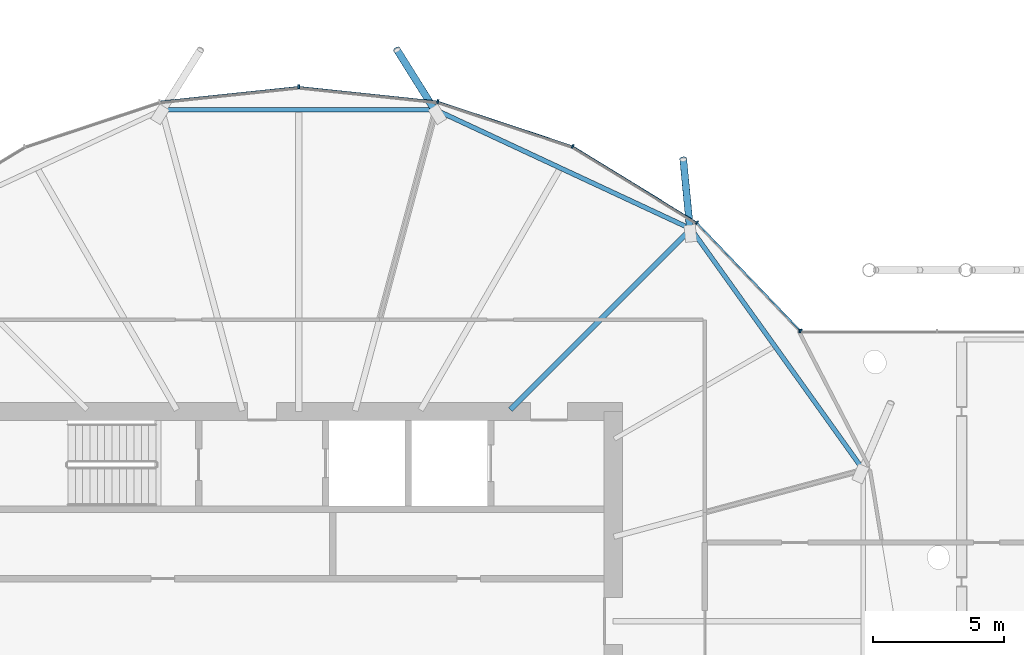
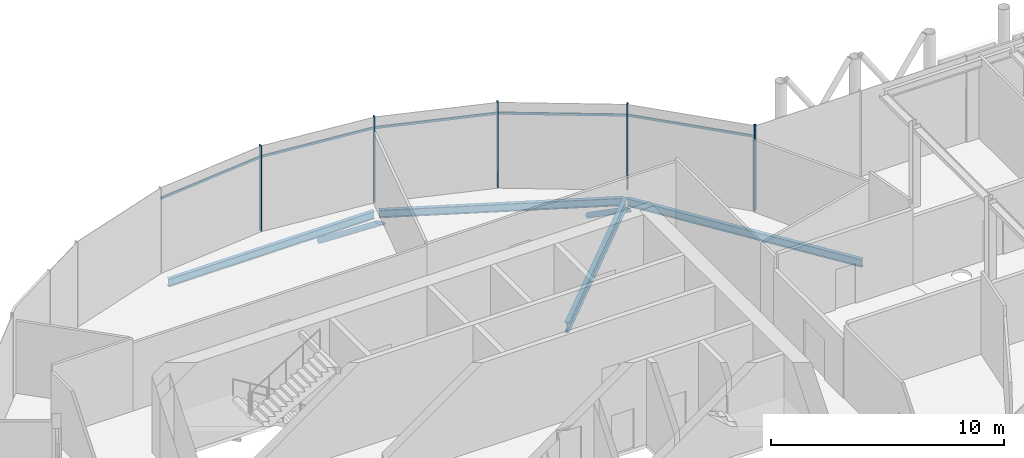
# One storey, part 9 of 36: 13 members, 4 beams, 2 elements without a shape of their own.
"""IFC4 building model written with IfcOpenShell, lengths in metres."""

from ifc_helpers import new_model, si_unit, direction, frame, origin, origin_2d, place, context, subcontext, project, spatial, rectangle, hollow_circle, i_section, extrude, clip, halfspace, material, material_profile, profile_set, type_object, element, aggregate, save


model = new_model("IFC4")

# Units and contexts
model_context = context("Model", 3, precision=1e-05, world=origin(), true_north=direction((0.0, 1.0)))
body_context = subcontext(model_context, "Body", "Model", "MODEL_VIEW")
ifc_project = project(units=[si_unit("LENGTHUNIT", "METRE"), si_unit("AREAUNIT", "SQUARE_METRE"), si_unit("VOLUMEUNIT", "CUBIC_METRE"), si_unit("PLANEANGLEUNIT", "RADIAN"), si_unit("MASSUNIT", "GRAM", prefix="KILO")], contexts=[model_context])

# Site, building, storey
site_placement = place(None, origin())
site = spatial("IfcSite", under=ifc_project, at=site_placement, CompositionType="ELEMENT")
building_placement = place(site_placement, origin())
building = spatial("IfcBuilding", under=site, at=building_placement, Name="Rimbun Link Towers", CompositionType="ELEMENT")
storey_placement = place(building_placement, frame((0.0, 0.0, 154.39990234375)))
storey = spatial("IfcBuildingStorey", under=building, at=storey_placement, Name="L37", CompositionType="ELEMENT", Elevation=154.39990234375)

# Curtain wall, members
ifc_material_1 = material(Name="Aluminium 6063-T6 and low-iron glass", Category="aluminium")
curtain_wall_type = type_object("IfcCurtainWallType", Name="CW5 full height lobby wall", PredefinedType="NOTDEFINED", material=ifc_material_1)
curtain_wall_1_placement = place(storey_placement, origin())
curtain_wall_1 = element("IfcCurtainWall", 1, at=curtain_wall_1_placement, inside=storey, type_object=curtain_wall_type, Name="CW5 L37 T1", PredefinedType="NOTDEFINED")
ifc_material_2 = material(Name="Aluminium 6063-T6", Category="aluminium")
ifc_material_profile_1 = material_profile(ifc_material_2, rectangle(XDim=0.14990234375, YDim=0.06005859375, at=origin_2d()), Name="MULLION 60X150")
ifc_profile_set_1 = profile_set([ifc_material_profile_1], Name="Aluminium 6063-T6")
member_type_1 = type_object("IfcMemberType", Name="CW5 mullion 60X150", PredefinedType="MULLION", material=ifc_profile_set_1)
member_1_placement = place(storey_placement, frame((-16.548828125, 15.212646484375, 0.0), z_axis=(0.0, 0.0, 1.0), x_axis=(0.627670674715, 0.778478981157, 0.0)))
member_1 = element("IfcMember", 2, at=member_1_placement, type_object=member_type_1, Name="CW5 mullion", PredefinedType="MULLION", context=body_context, shape_type="SweptSolid", body=[
    extrude(rectangle(XDim=0.14990234375, YDim=0.06005859375, at=origin_2d()), origin(), (0.0, 0.0, 1.0), 4.5),
])
member_2_placement = place(storey_placement, frame((-12.589111328125, 11.083251953125, 0.0), z_axis=(0.0, 0.0, 1.0), x_axis=(0.721858090698, 0.692041109252, 0.0)))
member_2 = element("IfcMember", 3, at=member_2_placement, type_object=member_type_1, Name="CW5 mullion", PredefinedType="MULLION", context=body_context, shape_type="SweptSolid", body=[
    extrude(rectangle(XDim=0.14990234375, YDim=0.06005859375, at=origin_2d()), origin(), (0.0, 0.0, 1.0), 4.5),
])
member_3_placement = place(storey_placement, frame((-21.29296875, 18.12548828125, 0.0), z_axis=(0.0, 0.0, 1.0), x_axis=(0.421697332152, 0.906736654192, 0.0)))
member_3 = element("IfcMember", 4, at=member_3_placement, type_object=member_type_1, Name="CW5 mullion", PredefinedType="MULLION", context=body_context, shape_type="SweptSolid", body=[
    extrude(rectangle(XDim=0.14990234375, YDim=0.06005859375, at=origin_2d()), origin(), (0.0, 0.0, 1.0), 4.5),
])
member_4_placement = place(storey_placement, frame((-26.440185546875, 19.831298828125, 0.0), z_axis=(0.0, 0.0, 1.0), x_axis=(0.210874693144, 0.977513101596, 0.0)))
member_4 = element("IfcMember", 5, at=member_4_placement, type_object=member_type_1, Name="CW5 mullion", PredefinedType="MULLION", context=body_context, shape_type="SweptSolid", body=[
    extrude(rectangle(XDim=0.14990234375, YDim=0.06005859375, at=origin_2d()), origin(), (0.0, 0.0, 1.0), 4.5),
])
member_5_placement = place(storey_placement, frame((-31.75, 20.390625, 0.0), z_axis=(0.0, 0.0, 1.0), x_axis=(0.0, 1.0, 0.0)))
member_5 = element("IfcMember", 6, at=member_5_placement, type_object=member_type_1, Name="CW5 mullion", PredefinedType="MULLION", context=body_context, shape_type="SweptSolid", body=[
    extrude(rectangle(XDim=0.14990234375, YDim=0.06005859375, at=origin_2d()), origin(), (0.0, 0.0, 1.0), 4.5),
])

# Curtain wall, member
curtain_wall_2_placement = place(storey_placement, origin())
curtain_wall_2 = element("IfcCurtainWall", 7, at=curtain_wall_2_placement, inside=storey, type_object=curtain_wall_type, Name="CW5 L37 LB", PredefinedType="NOTDEFINED")
member_6_placement = place(storey_placement, frame((-12.626953125, 11.074951171875, 0.0), z_axis=(0.0, 0.0, 1.0), x_axis=(0.0, 1.0, 0.0)))
member_6 = element("IfcMember", 8, at=member_6_placement, type_object=member_type_1, Name="CW5 mullion", PredefinedType="MULLION", context=body_context, shape_type="SweptSolid", body=[
    extrude(rectangle(XDim=0.14990234375, YDim=0.06005859375, at=origin_2d()), origin(), (0.0, 0.0, 1.0), 4.5),
])
aggregate(curtain_wall_2, [member_6])

# Member
ifc_material_3 = material(Name="Aluminium 6063-T6", Category="aluminium")
ifc_material_profile_2 = material_profile(ifc_material_3, rectangle(XDim=0.06005859375, YDim=0.1201171875, at=origin_2d()), Name="TRANSOM 60X120")
ifc_profile_set_2 = profile_set([ifc_material_profile_2], Name="Aluminium 6063-T6")
member_type_2 = type_object("IfcMemberType", Name="CW5 transom 60X120", PredefinedType="USERDEFINED", material=ifc_profile_set_2)
member_7_placement = place(storey_placement, frame((-16.5302734375, 15.175537109375, 3.900146484375), z_axis=(0.692046088529, -0.721853317061, 0.0), x_axis=(0.721853317061, 0.692046088529, 0.0)))
member_7 = element("IfcMember", 9, at=member_7_placement, type_object=member_type_2, Name="CW5 transom", ObjectType="TRANSOM", PredefinedType="USERDEFINED", context=body_context, shape_type="SweptSolid", body=[
    extrude(rectangle(XDim=0.06005859375, YDim=0.1201171875, at=origin_2d()), origin(), (0.0, 0.0, 1.0), 5.651611328125),
])

member_8_placement = place(storey_placement, frame((-21.2666015625, 18.0947265625, 3.900146484375), z_axis=(0.852189318435, -0.523233566914, 0.0), x_axis=(0.523233566914, 0.852189318435, 0.0)))
member_8 = element("IfcMember", 10, at=member_8_placement, type_object=member_type_2, Name="CW5 transom", ObjectType="TRANSOM", PredefinedType="USERDEFINED", context=body_context, shape_type="SweptSolid", body=[
    extrude(rectangle(XDim=0.06005859375, YDim=0.1201171875, at=origin_2d()), origin(), (0.0, 0.0, 1.0), 5.489013671875),
])

member_9_placement = place(storey_placement, frame((-26.407958984375, 19.807373046875, 3.900146484375), z_axis=(0.949234446974, -0.314569491016, 0.0), x_axis=(0.314569491016, 0.949234446974, 0.0)))
member_9 = element("IfcMember", 11, at=member_9_placement, type_object=member_type_2, Name="CW5 transom", ObjectType="TRANSOM", PredefinedType="USERDEFINED", context=body_context, shape_type="SweptSolid", body=[
    extrude(rectangle(XDim=0.06005859375, YDim=0.1201171875, at=origin_2d()), origin(), (0.0, 0.0, 1.0), 5.345947265625),
])

member_10_placement = place(storey_placement, frame((-31.713623046875, 20.3740234375, 3.900146484375), z_axis=(0.994499859856, -0.104737905017, 0.0), x_axis=(0.104737905017, 0.994499859856, 0.0)))
member_10 = element("IfcMember", 12, at=member_10_placement, type_object=member_type_2, Name="CW5 transom", ObjectType="TRANSOM", PredefinedType="USERDEFINED", context=body_context, shape_type="SweptSolid", body=[
    extrude(rectangle(XDim=0.06005859375, YDim=0.1201171875, at=origin_2d()), origin(), (0.0, 0.0, 1.0), 5.263427734375),
])

member_11_placement = place(storey_placement, frame((-37.020751953125, 19.82275390625, 3.900146484375), z_axis=(0.994499859856, 0.104737905017, 0.0), x_axis=(-0.104737905017, 0.994499859856, 0.0)))
member_11 = element("IfcMember", 13, at=member_11_placement, type_object=member_type_2, Name="CW5 transom", ObjectType="TRANSOM", PredefinedType="USERDEFINED", context=body_context, shape_type="SweptSolid", body=[
    extrude(rectangle(XDim=0.06005859375, YDim=0.1201171875, at=origin_2d()), origin(), (0.0, 0.0, 1.0), 5.263427734375),
])

aggregate(curtain_wall_1, [member_1, member_2, member_3, member_4, member_5, member_7, member_8, member_9, member_10, member_11])

# Members
ifc_material_4 = material(Name="Steel S355J2H", Category="steel")
ifc_material_profile_3 = material_profile(ifc_material_4, hollow_circle(Radius=0.136474609375, WallThickness=0.012451171875, at=origin_2d()), Name="CHS 273x12.5")
ifc_profile_set_3 = profile_set([ifc_material_profile_3], Name="Steel S355J2H")
member_type_3 = type_object("IfcMemberType", Name="Floor edge link CHS 273x12.5", PredefinedType="BRACE", material=ifc_profile_set_3)
member_12_placement = place(storey_placement, frame((-16.81298828125, 14.93701171875, -0.826416015625), z_axis=(-0.079964346509, 0.825951437822, -0.558041150496), x_axis=(-0.995346134985, -0.096364265003, 0.0)))
element("IfcMember", 14, at=member_12_placement, inside=storey, type_object=member_type_3, Name="Floor edge link T1 L37 03", PredefinedType="BRACE", context=body_context, shape_type="Clipping", body=[
    clip(extrude(hollow_circle(Radius=0.136474609375, WallThickness=0.012451171875, at=origin_2d()), frame((0.0, 0.0, -0.423828125)), (0.0, 0.0, 1.0), 3.708984375), halfspace(frame((0.0, 0.0, -0.19970703125), z_axis=(0.0, 0.8298132768, -0.558041150496)), False)),
])
member_13_placement = place(storey_placement, frame((-26.5341796875, 19.465087890625, -0.897216796875), z_axis=(-0.445991113908, 0.711836509262, -0.542568622754), x_axis=(-0.847412832635, -0.530934545011, 0.0)))
element("IfcMember", 15, at=member_13_placement, inside=storey, type_object=member_type_3, Name="Floor edge link T1 L37 05", PredefinedType="BRACE", context=body_context, shape_type="Clipping", body=[
    clip(extrude(hollow_circle(Radius=0.136474609375, WallThickness=0.012451171875, at=origin_2d()), frame((0.0, 0.0, -0.441162109375)), (0.0, 0.0, 1.0), 3.7626953125), halfspace(frame((0.0, 0.0, -0.207763671875), z_axis=(0.0, 0.840011481828, -0.542568622754)), False)),
])

# Beams
ifc_material_5 = material(Name="Steel S355J2", Category="steel")
ifc_material_profile_4 = material_profile(ifc_material_5, i_section(OverallWidth=0.177978515625, OverallDepth=0.406494140625, WebThickness=0.0078125, FlangeThickness=0.0126953125, at=origin_2d()), Name="UB 406x178x60")
ifc_profile_set_4 = profile_set([ifc_material_profile_4], Name="Steel S355J2")
beam_type_1 = type_object("IfcBeamType", Name="UB 406x178x60", PredefinedType="BEAM", material=ifc_profile_set_4)
beam_1_placement = place(storey_placement, frame((-10.26953125, 5.864990234375, -0.383056640625), z_axis=(-0.581402745389, 0.81361590917, 0.0), x_axis=(-0.81361590917, -0.581402745389, 0.0)))
element("IfcBeam", 16, at=beam_1_placement, inside=storey, type_object=beam_type_1, Name="Edge beam T1 L37 01-03", PredefinedType="BEAM", context=body_context, shape_type="SweptSolid", body=[
    extrude(i_section(OverallWidth=0.177978515625, OverallDepth=0.406494140625, WebThickness=0.0078125, FlangeThickness=0.0126953125, at=origin_2d()), origin(), (0.0, 0.0, 1.0), 11.086669921875),
])
beam_2_placement = place(storey_placement, frame((-16.87939453125, 15.02001953125, -0.383056640625), z_axis=(-0.906400585734, 0.422419197222, 0.0), x_axis=(-0.422419197222, -0.906400585734, 0.0)))
element("IfcBeam", 17, at=beam_2_placement, inside=storey, type_object=beam_type_1, Name="Edge beam T1 L37 03-05", PredefinedType="BEAM", context=body_context, shape_type="SweptSolid", body=[
    extrude(i_section(OverallWidth=0.177978515625, OverallDepth=0.406494140625, WebThickness=0.0078125, FlangeThickness=0.0126953125, at=origin_2d()), origin(), (0.0, 0.0, 1.0), 10.521240234375),
])
beam_3_placement = place(storey_placement, frame((-26.64013671875, 19.513427734375, -0.383056640625), z_axis=(-1.0, 0.0, 0.0), x_axis=(0.0, -1.0, 0.0)))
element("IfcBeam", 18, at=beam_3_placement, inside=storey, type_object=beam_type_1, Name="Edge beam T1 L37 05-07", PredefinedType="BEAM", context=body_context, shape_type="SweptSolid", body=[
    extrude(i_section(OverallWidth=0.177978515625, OverallDepth=0.406494140625, WebThickness=0.0078125, FlangeThickness=0.0126953125, at=origin_2d()), origin(), (0.0, 0.0, 1.0), 10.2197265625),
])
ifc_material_6 = material(Name="Steel S355J2", Category="steel")
ifc_material_profile_5 = material_profile(ifc_material_6, i_section(OverallWidth=0.209228515625, OverallDepth=0.533203125, WebThickness=0.010009765625, FlangeThickness=0.015625, at=origin_2d()), Name="UB 533x210x92")
ifc_profile_set_5 = profile_set([ifc_material_profile_5], Name="Steel S355J2")
beam_type_2 = type_object("IfcBeamType", Name="UB 533x210x92", PredefinedType="BEAM", material=ifc_profile_set_5)
beam_4_placement = place(storey_placement, frame((-23.67529296875, 8.07470703125, -0.4462890625), z_axis=(0.707106781187, 0.707106781187, 0.0), x_axis=(-0.707106781187, 0.707106781187, 0.0)))
element("IfcBeam", 19, at=beam_4_placement, inside=storey, type_object=beam_type_2, Name="Radial beam T1 L37 03", PredefinedType="BEAM", context=body_context, shape_type="SweptSolid", body=[
    extrude(i_section(OverallWidth=0.209228515625, OverallDepth=0.533203125, WebThickness=0.010009765625, FlangeThickness=0.015625, at=origin_2d()), origin(), (0.0, 0.0, 1.0), 9.7548828125),
])

save(model, "model.ifc")
